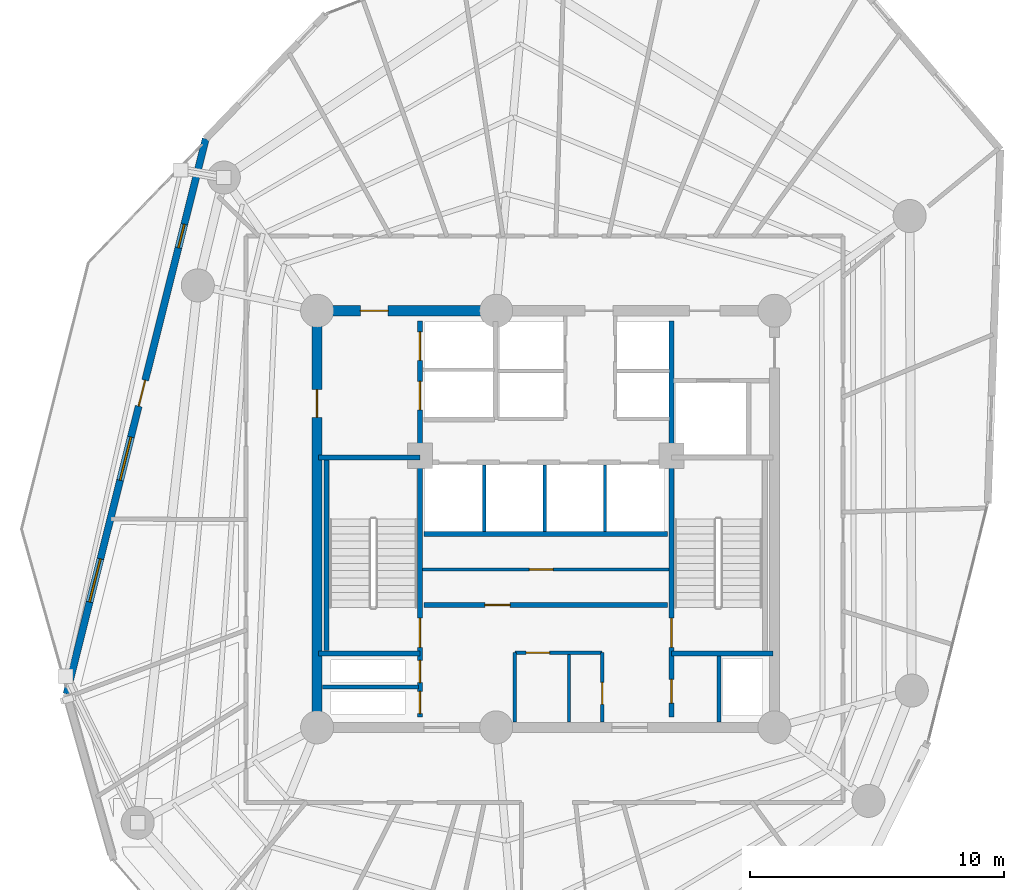
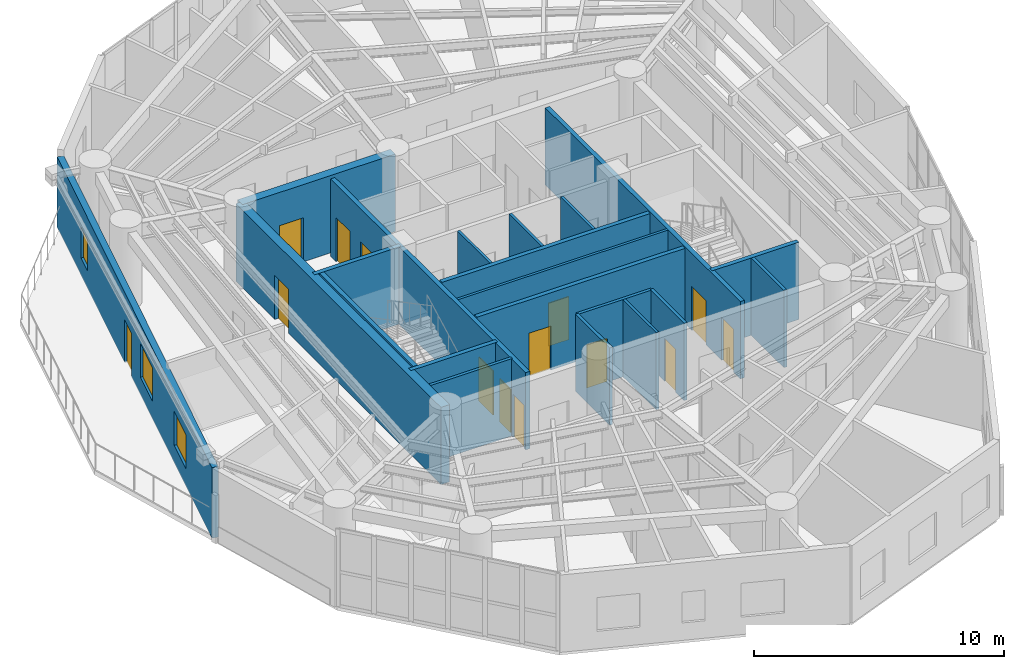
# One storey, part 8 of 14: 21 walls, 14 doors, 3 windows, 17 openings.
"""IFC4 building model written with IfcOpenShell, lengths in metres."""

from ifc_helpers import new_model, si_unit, direction, frame, frame_2d, origin, origin_with_axes, place, context, subcontext, project, spatial, rectangle, extrude, source, transform, mapped, material, layer, layer_set, type_object, element, fill, save


model = new_model("IFC4")

# Units and contexts
model_context = context("Model", 3, precision=1e-05, world=origin(), true_north=direction((0.0, 1.0)))
body_context = subcontext(model_context, "Body", "Model", "MODEL_VIEW")
ifc_project = project(units=[si_unit("LENGTHUNIT", "METRE"), si_unit("AREAUNIT", "SQUARE_METRE"), si_unit("VOLUMEUNIT", "CUBIC_METRE"), si_unit("PLANEANGLEUNIT", "RADIAN"), si_unit("MASSUNIT", "GRAM", prefix="KILO")], contexts=[model_context])

# Site, building, storey
site_placement = place(None, origin())
site = spatial("IfcSite", under=ifc_project, at=site_placement, CompositionType="ELEMENT")
building_placement = place(site_placement, origin())
building = spatial("IfcBuilding", under=site, at=building_placement, Name="Karkom Vertical University and Central Library", CompositionType="ELEMENT")
storey_placement = place(building_placement, frame((0.0, 0.0, 152.550048828125)))
storey = spatial("IfcBuildingStorey", under=building, at=storey_placement, Name="L43", CompositionType="ELEMENT", Elevation=152.550048828125)

# Wall, openings, door, windows
ifc_material_1 = material(Name="Brick-faced precast concrete C45/55", Category="masonry")
ifc_layer_1 = layer(ifc_material_1, 0.280029296875)
ifc_layer_set_1 = layer_set([ifc_layer_1], Name="Brick-faced precast concrete C45/55")
wall_type_1 = type_object("IfcWallType", Name="ENV-WL-BRK-280", PredefinedType="SOLIDWALL", material=ifc_layer_set_1)
wall_1_placement = place(storey_placement, frame((15.117431640625, 41.469970703125, 0.0), z_axis=(0.0, 0.0, 1.0), x_axis=(-0.243272448764, -0.96995799686, 0.0)))
wall_1 = element("IfcWall", 1, at=wall_1_placement, inside=storey, type_object=wall_type_1, Name="Level 43 Brick-Faced Precast Facade Wall 12", PredefinedType="SOLIDWALL", context=body_context, shape_type="SweptSolid", body=[
    extrude(rectangle(XDim=22.529052734375, YDim=0.280029296875, at=frame_2d((11.2646484375, 0.0))), origin(), (0.0, 0.0, 1.0), 3.445068359375),
])
opening_1_placement = place(wall_1_placement, frame((3.473388671875, 0.0, 0.85009765625)))
opening_1 = element("IfcOpeningElement", 2, at=opening_1_placement, cuts=wall_1, Name="Opening WN-12", PredefinedType="OPENING", context=body_context, shape_type="SweptSolid", body=[
    extrude(rectangle(XDim=0.949951171875, YDim=1.5, at=frame_2d((0.47509765625, 0.75))), frame((0.0, 0.14990234375, 0.0), z_axis=(0.0, -1.0, 0.0), x_axis=(1.0, 0.0, 0.0)), (0.0, 0.0, 1.0), 0.300048828125),
])
opening_2_placement = place(wall_1_placement, frame((12.107666015625, 0.0, 0.85009765625)))
opening_2 = element("IfcOpeningElement", 3, at=opening_2_placement, cuts=wall_1, Name="Opening WN-08", PredefinedType="OPENING", context=body_context, shape_type="SweptSolid", body=[
    extrude(rectangle(XDim=1.75, YDim=1.64990234375, at=frame_2d((0.875, 0.824951171875))), frame((0.0, 0.14990234375, 0.0), z_axis=(0.0, -1.0, 0.0), x_axis=(1.0, 0.0, 0.0)), (0.0, 0.0, 1.0), 0.300048828125),
])
opening_3_placement = place(wall_1_placement, frame((17.048583984375, 0.0, 0.85009765625)))
opening_3 = element("IfcOpeningElement", 4, at=opening_3_placement, cuts=wall_1, Name="Opening WN-08", PredefinedType="OPENING", context=body_context, shape_type="SweptSolid", body=[
    extrude(rectangle(XDim=1.75, YDim=1.64990234375, at=frame_2d((0.875, 0.824951171875))), frame((0.0, 0.14990234375, 0.0), z_axis=(0.0, -1.0, 0.0), x_axis=(1.0, 0.0, 0.0)), (0.0, 0.0, 1.0), 0.300048828125),
])
opening_4_placement = place(wall_1_placement, frame((9.80078125, 0.0, 0.0)))
opening_4 = element("IfcOpeningElement", 5, at=opening_4_placement, cuts=wall_1, Name="Opening TD-1", PredefinedType="OPENING", context=body_context, shape_type="SweptSolid", body=[
    extrude(rectangle(XDim=1.050048828125, YDim=2.1201171875, at=frame_2d((0.52490234375, 1.06005859375))), frame((0.0, 0.14990234375, 0.0), z_axis=(0.0, -1.0, 0.0), x_axis=(1.0, 0.0, 0.0)), (0.0, 0.0, 1.0), 0.300048828125),
])
ifc_material_2 = material(Name="Thermally broken glazed aluminium terrace door", Category="aluminium")
door_type_1 = type_object("IfcDoorType", Name="ENV-DR-TERR", OperationType="NOTDEFINED", PredefinedType="DOOR", material=ifc_material_2)
shared_shape_1 = source(origin_with_axes(), body_context, "Body", "SweptSolid", [
    extrude(rectangle(XDim=1.050048828125, YDim=2.1201171875, at=frame_2d((0.52490234375, 1.06005859375))), frame((0.0, 0.02490234375, 0.0), z_axis=(0.0, -1.0, 0.0), x_axis=(1.0, 0.0, 0.0)), (0.0, 0.0, 1.0), 0.050048828125),
])
door_1_placement = place(opening_4_placement, origin())
door_1 = element("IfcDoor", 6, at=door_1_placement, inside=storey, type_object=door_type_1, Name="Level 43 Outdoor Terrace Access Door", OperationType="SINGLE_SWING_RIGHT", OverallHeight=2.1201171875, OverallWidth=1.050048828125, PredefinedType="DOOR", context=body_context, shape_type="MappedRepresentation", body=[
    mapped(shared_shape_1, transform((0.0, 0.0, 0.0), scale=1.0)),
])
fill(opening_4, door_1)
ifc_material_3 = material(Name="Aluminium thermal-break frame with solar-control IGU", Category="aluminium")
window_type_1 = type_object("IfcWindowType", Name="ENV-WIN-WN-12", PartitioningType="SINGLE_PANEL", PredefinedType="WINDOW", material=ifc_material_3)
shared_shape_2 = source(origin_with_axes(), body_context, "Body", "SweptSolid", [
    extrude(rectangle(XDim=0.949951171875, YDim=1.5, at=frame_2d((0.47509765625, 0.75))), frame((0.0, 0.030029296875, 0.0), z_axis=(0.0, -1.0, 0.0), x_axis=(1.0, 0.0, 0.0)), (0.0, 0.0, 1.0), 0.06005859375),
])
window_1_placement = place(opening_1_placement, origin())
window_1 = element("IfcWindow", 7, at=window_1_placement, inside=storey, type_object=window_type_1, Name="Level 43 Punched Window 12.1", OverallHeight=1.5, OverallWidth=0.949951171875, PartitioningType="SINGLE_PANEL", PredefinedType="WINDOW", context=body_context, shape_type="MappedRepresentation", body=[
    mapped(shared_shape_2, transform((0.0, 0.0, 0.0), scale=1.0)),
])
fill(opening_1, window_1)
window_type_2 = type_object("IfcWindowType", Name="ENV-WIN-WN-08", PartitioningType="SINGLE_PANEL", PredefinedType="WINDOW", material=ifc_material_3)
shared_shape_3 = source(origin_with_axes(), body_context, "Body", "SweptSolid", [
    extrude(rectangle(XDim=1.75, YDim=1.64990234375, at=frame_2d((0.875, 0.824951171875))), frame((0.0, 0.030029296875, 0.0), z_axis=(0.0, -1.0, 0.0), x_axis=(1.0, 0.0, 0.0)), (0.0, 0.0, 1.0), 0.06005859375),
])
window_2_placement = place(opening_2_placement, origin())
window_2 = element("IfcWindow", 8, at=window_2_placement, inside=storey, type_object=window_type_2, Name="Level 43 Punched Window 12.3", OverallHeight=1.64990234375, OverallWidth=1.75, PartitioningType="SINGLE_PANEL", PredefinedType="WINDOW", context=body_context, shape_type="MappedRepresentation", body=[
    mapped(shared_shape_3, transform((0.0, 0.0, 0.0), scale=1.0)),
])
fill(opening_2, window_2)
window_3_placement = place(opening_3_placement, origin())
window_3 = element("IfcWindow", 9, at=window_3_placement, inside=storey, type_object=window_type_2, Name="Level 43 Punched Window 12.4", OverallHeight=1.64990234375, OverallWidth=1.75, PartitioningType="SINGLE_PANEL", PredefinedType="WINDOW", context=body_context, shape_type="MappedRepresentation", body=[
    mapped(shared_shape_3, transform((0.0, 0.0, 0.0), scale=1.0)),
])
fill(opening_3, window_3)

# Wall
ifc_material_4 = material(Name="Moisture-resistant drywall 120mm", Category="gypsum")
ifc_layer_2 = layer(ifc_material_4, 0.1201171875)
ifc_layer_set_2 = layer_set([ifc_layer_2], Name="Moisture-resistant drywall 120mm")
wall_type_2 = type_object("IfcWallType", Name="INT-WL-INT-120", PredefinedType="PARTITIONING", material=ifc_layer_set_2)
wall_2_placement = place(storey_placement, frame((29.419921875, 18.507080078125, 0.0), z_axis=(0.0, 0.0, 1.0), x_axis=(0.0, 1.0, 0.0)))
element("IfcWall", 10, at=wall_2_placement, inside=storey, type_object=wall_type_2, Name="Level 43 Interior Partition Wall L43-CW-K3-DIV", PredefinedType="PARTITIONING", context=body_context, shape_type="SweptSolid", body=[
    extrude(rectangle(XDim=2.66162109375, YDim=0.1201171875, at=frame_2d((1.330810546875, 0.0))), origin(), (0.0, 0.0, 1.0), 3.77490234375),
])

# Wall, opening, door
ifc_layer_3 = layer(ifc_material_4, 0.1201171875)
ifc_layer_set_3 = layer_set([ifc_layer_3], Name="Moisture-resistant drywall 120mm")
wall_type_3 = type_object("IfcWallType", Name="INT-WL-INT-120F", PredefinedType="PARTITIONING", material=ifc_layer_set_3)
wall_3_placement = place(storey_placement, frame((23.652099609375, 24.52001953125, 0.0), z_axis=(0.0, 0.0, 1.0), x_axis=(1.0, 0.0, 0.0)))
wall_3 = element("IfcWall", 11, at=wall_3_placement, inside=storey, type_object=wall_type_3, Name="Level 43 Interior Partition Wall L43-CW-B1-K3H", PredefinedType="PARTITIONING", context=body_context, shape_type="SweptSolid", body=[
    extrude(rectangle(XDim=9.697509765625, YDim=0.1201171875, at=frame_2d((4.8486328125, 0.0))), origin(), (0.0, 0.0, 1.0), 3.77490234375),
])
opening_5_placement = place(wall_3_placement, frame((4.199951171875, 0.0, 0.0)))
opening_5 = element("IfcOpeningElement", 12, at=opening_5_placement, cuts=wall_3, Name="Opening D-WC1", PredefinedType="OPENING", context=body_context, shape_type="SweptSolid", body=[
    extrude(rectangle(XDim=0.93994140625, YDim=2.10009765625, at=frame_2d((0.469970703125, 1.050048828125))), frame((0.0, 0.070068359375, 0.0), z_axis=(0.0, -1.0, 0.0), x_axis=(1.0, 0.0, 0.0)), (0.0, 0.0, 1.0), 0.14013671875),
])
ifc_material_5 = material(Name="Fire-rated laminate moisture-resistant door", Category="wood")
door_type_2 = type_object("IfcDoorType", Name="INT-DR-WC1", OperationType="NOTDEFINED", PredefinedType="DOOR", material=ifc_material_5)
shared_shape_4 = source(origin_with_axes(), body_context, "Body", "SweptSolid", [
    extrude(rectangle(XDim=0.93994140625, YDim=2.10009765625, at=frame_2d((0.469970703125, 1.050048828125))), frame((0.0, 0.02490234375, 0.0), z_axis=(0.0, -1.0, 0.0), x_axis=(1.0, 0.0, 0.0)), (0.0, 0.0, 1.0), 0.050048828125),
])
door_2_placement = place(opening_5_placement, origin())
door_2 = element("IfcDoor", 13, at=door_2_placement, inside=storey, type_object=door_type_2, Name="Level 43 B1 Core WC Strip Door", OperationType="SINGLE_SWING_RIGHT", OverallHeight=2.10009765625, OverallWidth=0.93994140625, PredefinedType="DOOR", context=body_context, shape_type="MappedRepresentation", body=[
    mapped(shared_shape_4, transform((0.0, 0.0, 0.0), scale=1.0)),
])
fill(opening_5, door_2)

# Walls
ifc_layer_4 = layer(ifc_material_4, 0.1201171875)
ifc_layer_set_4 = layer_set([ifc_layer_4], Name="Moisture-resistant drywall 120mm")
wall_type_4 = type_object("IfcWallType", Name="INT-WL-INT-120H", PredefinedType="PARTITIONING", material=ifc_layer_set_4)
for number, where, z_axis, x_axis, name in (
    (14, (26.080078125, 26.02001953125, 0.0), (0.0, 0.0, 1.0), (0.0, 1.0, 0.0), "Level 43 Interior Partition Wall L43-CW-PM-DIV1"),
    (15, (28.4599609375, 26.02001953125, 0.0), (0.0, 0.0, 1.0), (0.0, 1.0, 0.0), "Level 43 Interior Partition Wall L43-CW-PM-DIV2"),
    (16, (30.840087890625, 26.02001953125, 0.0), (0.0, 0.0, 1.0), (0.0, 1.0, 0.0), "Level 43 Interior Partition Wall L43-CW-PM-DIV3"),
):
    element("IfcWall", number, at=place(storey_placement, frame(where, z_axis=z_axis, x_axis=x_axis)), inside=storey, type_object=wall_type_4, Name=name, PredefinedType="PARTITIONING", context=body_context, shape_type="SweptSolid", body=[
        extrude(rectangle(XDim=2.60009765625, YDim=0.1201171875, at=frame_2d((1.300048828125, 0.0))), origin(), (0.0, 0.0, 1.0), 3.77490234375),
    ])

# Wall, opening, door
ifc_material_6 = material(Name="Metal-stud gypsum partition 140mm", Category="gypsum")
ifc_layer_5 = layer(ifc_material_6, 0.139892578125)
ifc_layer_set_5 = layer_set([ifc_layer_5], Name="Metal-stud gypsum partition 140mm")
wall_type_5 = type_object("IfcWallType", Name="INT-WL-SUB-140", PredefinedType="PARTITIONING", material=ifc_layer_set_5)
wall_4_placement = place(storey_placement, frame((27.280029296875, 21.239990234375, 0.0), z_axis=(0.0, 0.0, 1.0), x_axis=(1.0, 0.0, 0.0)))
wall_4 = element("IfcWall", 17, at=wall_4_placement, inside=storey, type_object=wall_type_5, Name="Level 43 Interior Partition Wall L43-CW-KBAY-N", PredefinedType="PARTITIONING", context=body_context, shape_type="SweptSolid", body=[
    extrude(rectangle(XDim=3.43994140625, YDim=0.139892578125, at=frame_2d((1.719970703125, 0.0))), origin(), (0.0, 0.0, 1.0), 3.77490234375),
])
opening_6_placement = place(wall_4_placement, frame((0.449951171875, 0.0, 0.0)))
opening_6 = element("IfcOpeningElement", 18, at=opening_6_placement, cuts=wall_4, Name="Opening D-SVC1", PredefinedType="OPENING", context=body_context, shape_type="SweptSolid", body=[
    extrude(rectangle(XDim=0.919921875, YDim=2.10009765625, at=frame_2d((0.4599609375, 1.050048828125))), frame((0.0, 0.080078125, 0.0), z_axis=(0.0, -1.0, 0.0), x_axis=(1.0, 0.0, 0.0)), (0.0, 0.0, 1.0), 0.159912109375),
])
ifc_material_7 = material(Name="Painted timber service door", Category="wood")
door_type_3 = type_object("IfcDoorType", Name="INT-DR-SVC1", OperationType="NOTDEFINED", PredefinedType="DOOR", material=ifc_material_7)
shared_shape_5 = source(origin_with_axes(), body_context, "Body", "SweptSolid", [
    extrude(rectangle(XDim=0.919921875, YDim=2.10009765625, at=frame_2d((0.4599609375, 1.050048828125))), frame((0.0, 0.02490234375, 0.0), z_axis=(0.0, -1.0, 0.0), x_axis=(1.0, 0.0, 0.0)), (0.0, 0.0, 1.0), 0.050048828125),
])
door_3_placement = place(opening_6_placement, origin())
door_3 = element("IfcDoor", 19, at=door_3_placement, inside=storey, type_object=door_type_3, Name="Level 43 Copy Room Door", OperationType="SINGLE_SWING_LEFT", OverallHeight=2.10009765625, OverallWidth=0.919921875, PredefinedType="DOOR", context=body_context, shape_type="MappedRepresentation", body=[
    mapped(shared_shape_5, transform((0.0, 0.0, 0.0), scale=1.0)),
])
fill(opening_6, door_3)

# Wall
wall_5_placement = place(storey_placement, frame((27.280029296875, 18.507080078125, 0.0), z_axis=(0.0, 0.0, 1.0), x_axis=(0.0, 1.0, 0.0)))
element("IfcWall", 20, at=wall_5_placement, inside=storey, type_object=wall_type_5, Name="Level 43 Interior Partition Wall L43-CW-KBAY-W", PredefinedType="PARTITIONING", context=body_context, shape_type="SweptSolid", body=[
    extrude(rectangle(XDim=2.73291015625, YDim=0.139892578125, at=frame_2d((1.366455078125, 0.0))), origin(), (0.0, 0.0, 1.0), 3.77490234375),
])

# Wall, opening, door
wall_6_placement = place(storey_placement, frame((30.719970703125, 18.507080078125, 0.0), z_axis=(0.0, 0.0, 1.0), x_axis=(0.0, 1.0, 0.0)))
wall_6 = element("IfcWall", 21, at=wall_6_placement, inside=storey, type_object=wall_type_5, Name="Level 43 Interior Partition Wall L43-CW-KBAY-E", PredefinedType="PARTITIONING", context=body_context, shape_type="SweptSolid", body=[
    extrude(rectangle(XDim=2.73291015625, YDim=0.139892578125, at=frame_2d((1.366455078125, 0.0))), origin(), (0.0, 0.0, 1.0), 3.77490234375),
])
opening_7_placement = place(wall_6_placement, frame((0.699951171875, 0.0, 0.0)))
opening_7 = element("IfcOpeningElement", 22, at=opening_7_placement, cuts=wall_6, Name="Opening D-BATH", PredefinedType="OPENING", context=body_context, shape_type="SweptSolid", body=[
    extrude(rectangle(XDim=0.860107421875, YDim=2.10009765625, at=frame_2d((0.43017578125, 1.050048828125))), frame((0.0, 0.080078125, 0.0), z_axis=(0.0, -1.0, 0.0), x_axis=(1.0, 0.0, 0.0)), (0.0, 0.0, 1.0), 0.159912109375),
])
ifc_material_8 = material(Name="Moisture-resistant oak door", Category="wood")
door_type_4 = type_object("IfcDoorType", Name="INT-DR-BATH", OperationType="NOTDEFINED", PredefinedType="DOOR", material=ifc_material_8)
shared_shape_6 = source(origin_with_axes(), body_context, "Body", "SweptSolid", [
    extrude(rectangle(XDim=0.860107421875, YDim=2.10009765625, at=frame_2d((0.43017578125, 1.050048828125))), frame((0.0, 0.02490234375, 0.0), z_axis=(0.0, -1.0, 0.0), x_axis=(1.0, 0.0, 0.0)), (0.0, 0.0, 1.0), 0.050048828125),
])
door_4_placement = place(opening_7_placement, origin())
door_4 = element("IfcDoor", 23, at=door_4_placement, inside=storey, type_object=door_type_4, Name="Level 43 Janitor Door", OperationType="SINGLE_SWING_RIGHT", OverallHeight=2.10009765625, OverallWidth=0.860107421875, PredefinedType="DOOR", context=body_context, shape_type="MappedRepresentation", body=[
    mapped(shared_shape_6, transform((0.0, 0.0, 0.0), scale=1.0)),
])
fill(opening_7, door_4)

# Walls
ifc_layer_6 = layer(ifc_material_6, 0.139892578125)
ifc_layer_set_6 = layer_set([ifc_layer_6], Name="Metal-stud gypsum partition 140mm")
wall_type_6 = type_object("IfcWallType", Name="INT-WL-SUB-140H", PredefinedType="PARTITIONING", material=ifc_layer_set_6)
wall_7_placement = place(storey_placement, frame((19.70703125, 19.889892578125, 0.0), z_axis=(0.0, 0.0, 1.0), x_axis=(1.0, 0.0, 0.0)))
element("IfcWall", 24, at=wall_7_placement, inside=storey, type_object=wall_type_6, Name="Level 43 Interior Partition Wall L43-CW-RIS-W", PredefinedType="PARTITIONING", context=body_context, shape_type="SweptSolid", body=[
    extrude(rectangle(XDim=3.789794921875, YDim=0.139892578125, at=frame_2d((1.89501953125, 0.0))), origin(), (0.0, 0.0, 1.0), 3.77490234375),
])
wall_8_placement = place(storey_placement, frame((35.320068359375, 18.507080078125, 0.0), z_axis=(0.0, 0.0, 1.0), x_axis=(0.0, 1.0, 0.0)))
element("IfcWall", 25, at=wall_8_placement, inside=storey, type_object=wall_type_6, Name="Level 43 Interior Partition Wall L43-CW-RIS-E", PredefinedType="PARTITIONING", context=body_context, shape_type="SweptSolid", body=[
    extrude(rectangle(XDim=2.603759765625, YDim=0.139892578125, at=frame_2d((1.3017578125, 0.0))), origin(), (0.0, 0.0, 1.0), 3.77490234375),
])

# Wall, opening, door
ifc_material_9 = material(Name="Concrete C50/60", Category="concrete")
ifc_layer_7 = layer(ifc_material_9, 0.39990234375)
ifc_layer_set_7 = layer_set([ifc_layer_7], Name="Concrete C50/60")
wall_type_7 = type_object("IfcWallType", Name="STR-WL-CW-400", PredefinedType="SHEAR", material=ifc_layer_set_7)
wall_9_placement = place(storey_placement, frame((26.550048828125, 34.699951171875, 0.0), z_axis=(0.0, 0.0, 1.0), x_axis=(-1.0, 0.0, 0.0)))
wall_9 = element("IfcWall", 26, at=wall_9_placement, inside=storey, type_object=wall_type_7, Name="Level 43 Central Core Shear Wall NW2", PredefinedType="SHEAR", context=body_context, shape_type="SweptSolid", body=[
    extrude(rectangle(XDim=7.050048828125, YDim=0.39990234375, at=frame_2d((3.52490234375, 0.0))), origin(), (0.0, 0.0, 1.0), 3.77490234375),
])
opening_8_placement = place(wall_9_placement, frame((4.25, 0.0, 0.0)))
opening_8 = element("IfcOpeningElement", 27, at=opening_8_placement, cuts=wall_9, Name="Opening FD-FFL", PredefinedType="OPENING", context=body_context, shape_type="SweptSolid", body=[
    extrude(rectangle(XDim=1.10009765625, YDim=2.14990234375, at=frame_2d((0.550048828125, 1.074951171875))), frame((0.0, 0.2099609375, 0.0), z_axis=(0.0, -1.0, 0.0), x_axis=(1.0, 0.0, 0.0)), (0.0, 0.0, 1.0), 0.419921875),
])
ifc_material_10 = material(Name="Painted steel smoke-seal fire door", Category="steel")
door_type_5 = type_object("IfcDoorType", Name="INT-DR-FFL", OperationType="NOTDEFINED", PredefinedType="DOOR", material=ifc_material_10)
shared_shape_7 = source(origin_with_axes(), body_context, "Body", "SweptSolid", [
    extrude(rectangle(XDim=1.10009765625, YDim=2.14990234375, at=frame_2d((0.550048828125, 1.074951171875))), frame((0.0, 0.02490234375, 0.0), z_axis=(0.0, -1.0, 0.0), x_axis=(1.0, 0.0, 0.0)), (0.0, 0.0, 1.0), 0.050048828125),
])
door_5_placement = place(opening_8_placement, origin())
door_5 = element("IfcDoor", 28, at=door_5_placement, inside=storey, type_object=door_type_5, Name="Level 43 Firefighting Lobby Door", OperationType="SINGLE_SWING_RIGHT", OverallHeight=2.14990234375, OverallWidth=1.10009765625, PredefinedType="DOOR", context=body_context, shape_type="MappedRepresentation", body=[
    mapped(shared_shape_7, transform((0.0, 0.0, 0.0), scale=1.0)),
])
fill(opening_8, door_5)

wall_10_placement = place(storey_placement, frame((19.5, 34.699951171875, 0.0), z_axis=(0.0, 0.0, 1.0), x_axis=(0.0, -1.0, 0.0)))
wall_10 = element("IfcWall", 29, at=wall_10_placement, inside=storey, type_object=wall_type_7, Name="Level 43 Central Core Shear Wall WW", PredefinedType="SHEAR", context=body_context, shape_type="SweptSolid", body=[
    extrude(rectangle(XDim=16.39990234375, YDim=0.39990234375, at=frame_2d((8.199951171875, 0.0))), origin(), (0.0, 0.0, 1.0), 3.77490234375),
])
opening_9_placement = place(wall_10_placement, frame((3.10009765625, 0.0, 0.0)))
opening_9 = element("IfcOpeningElement", 30, at=opening_9_placement, cuts=wall_10, Name="Opening FD-FFL", PredefinedType="OPENING", context=body_context, shape_type="SweptSolid", body=[
    extrude(rectangle(XDim=1.10009765625, YDim=2.14990234375, at=frame_2d((0.550048828125, 1.074951171875))), frame((0.0, 0.2099609375, 0.0), z_axis=(0.0, -1.0, 0.0), x_axis=(1.0, 0.0, 0.0)), (0.0, 0.0, 1.0), 0.419921875),
])
door_6_placement = place(opening_9_placement, origin())
door_6 = element("IfcDoor", 31, at=door_6_placement, inside=storey, type_object=door_type_5, Name="Level 43 West Corridor Firefighting Lobby Door", OperationType="SINGLE_SWING_LEFT", OverallHeight=2.14990234375, OverallWidth=1.10009765625, PredefinedType="DOOR", context=body_context, shape_type="MappedRepresentation", body=[
    mapped(shared_shape_7, transform((0.0, 0.0, 0.0), scale=1.0)),
])
fill(opening_9, door_6)

# Wall, openings, doors
ifc_material_11 = material(Name="Concrete C45/55", Category="concrete")
ifc_layer_8 = layer(ifc_material_11, 0.199951171875)
ifc_layer_set_8 = layer_set([ifc_layer_8], Name="Concrete C45/55")
wall_type_8 = type_object("IfcWallType", Name="STR-WL-ST-200", PredefinedType="SHEAR", material=ifc_layer_set_8)
wall_11_placement = place(storey_placement, frame((23.544921875, 18.699951171875, 0.0), z_axis=(0.0, 0.0, 1.0), x_axis=(0.0, 1.0, 0.0)))
wall_11 = element("IfcWall", 32, at=wall_11_placement, inside=storey, type_object=wall_type_8, Name="Level 43 Core Shaft Wall L43-CW-ST1-E", PredefinedType="SHEAR", context=body_context, shape_type="SweptSolid", body=[
    extrude(rectangle(XDim=15.60009765625, YDim=0.199951171875, at=frame_2d((7.800048828125, 0.0))), origin(), (0.0, 0.0, 1.0), 3.77490234375),
])
opening_10_placement = place(wall_11_placement, frame((2.75, 0.0, 0.0)))
opening_10 = element("IfcOpeningElement", 33, at=opening_10_placement, cuts=wall_11, Name="Opening FD-ST1", PredefinedType="OPENING", context=body_context, shape_type="SweptSolid", body=[
    extrude(rectangle(XDim=1.14990234375, YDim=2.14990234375, at=frame_2d((0.574951171875, 1.074951171875))), frame((0.0, 0.10986328125, 0.0), z_axis=(0.0, -1.0, 0.0), x_axis=(1.0, 0.0, 0.0)), (0.0, 0.0, 1.0), 0.219970703125),
])
opening_11_placement = place(wall_11_placement, frame((0.139892578125, 0.0, 0.0)))
opening_11 = element("IfcOpeningElement", 34, at=opening_11_placement, cuts=wall_11, Name="Opening FD-RIS", PredefinedType="OPENING", context=body_context, shape_type="SweptSolid", body=[
    extrude(rectangle(XDim=0.8798828125, YDim=2.10009765625, at=frame_2d((0.43994140625, 1.050048828125))), frame((0.0, 0.10986328125, 0.0), z_axis=(0.0, -1.0, 0.0), x_axis=(1.0, 0.0, 0.0)), (0.0, 0.0, 1.0), 0.219970703125),
])
opening_12_placement = place(wall_11_placement, frame((1.360107421875, 0.0, 0.0)))
opening_12 = element("IfcOpeningElement", 35, at=opening_12_placement, cuts=wall_11, Name="Opening FD-RIS", PredefinedType="OPENING", context=body_context, shape_type="SweptSolid", body=[
    extrude(rectangle(XDim=0.8798828125, YDim=2.10009765625, at=frame_2d((0.43994140625, 1.050048828125))), frame((0.0, 0.10986328125, 0.0), z_axis=(0.0, -1.0, 0.0), x_axis=(1.0, 0.0, 0.0)), (0.0, 0.0, 1.0), 0.219970703125),
])
opening_13_placement = place(wall_11_placement, frame((12.10009765625, 0.0, 0.0)))
opening_13 = element("IfcOpeningElement", 36, at=opening_13_placement, cuts=wall_11, Name="Opening LD-FFL", PredefinedType="OPENING", context=body_context, shape_type="SweptSolid", body=[
    extrude(rectangle(XDim=1.1201171875, YDim=2.14990234375, at=frame_2d((0.56005859375, 1.074951171875))), frame((0.0, 0.10986328125, 0.0), z_axis=(0.0, -1.0, 0.0), x_axis=(1.0, 0.0, 0.0)), (0.0, 0.0, 1.0), 0.219970703125),
])
opening_14_placement = place(wall_11_placement, frame((14.050048828125, 0.0, 0.0)))
opening_14 = element("IfcOpeningElement", 37, at=opening_14_placement, cuts=wall_11, Name="Opening LD-FFL", PredefinedType="OPENING", context=body_context, shape_type="SweptSolid", body=[
    extrude(rectangle(XDim=1.1201171875, YDim=2.14990234375, at=frame_2d((0.56005859375, 1.074951171875))), frame((0.0, 0.10986328125, 0.0), z_axis=(0.0, -1.0, 0.0), x_axis=(1.0, 0.0, 0.0)), (0.0, 0.0, 1.0), 0.219970703125),
])
ifc_material_12 = material(Name="Painted steel acoustic fire door", Category="steel")
door_type_6 = type_object("IfcDoorType", Name="INT-DR-ST1", OperationType="NOTDEFINED", PredefinedType="DOOR", material=ifc_material_12)
shared_shape_8 = source(origin_with_axes(), body_context, "Body", "SweptSolid", [
    extrude(rectangle(XDim=1.14990234375, YDim=2.14990234375, at=frame_2d((0.574951171875, 1.074951171875))), frame((0.0, 0.02490234375, 0.0), z_axis=(0.0, -1.0, 0.0), x_axis=(1.0, 0.0, 0.0)), (0.0, 0.0, 1.0), 0.050048828125),
])
door_7_placement = place(opening_10_placement, origin())
door_7 = element("IfcDoor", 38, at=door_7_placement, inside=storey, type_object=door_type_6, Name="Level 43 Stair ST-1 Fire Door", OperationType="SINGLE_SWING_RIGHT", OverallHeight=2.14990234375, OverallWidth=1.14990234375, PredefinedType="DOOR", context=body_context, shape_type="MappedRepresentation", body=[
    mapped(shared_shape_8, transform((0.0, 0.0, 0.0), scale=1.0)),
])
fill(opening_10, door_7)
ifc_material_13 = material(Name="Painted steel riser access door", Category="steel")
door_type_7 = type_object("IfcDoorType", Name="INT-DR-RIS", OperationType="NOTDEFINED", PredefinedType="DOOR", material=ifc_material_13)
shared_shape_9 = source(origin_with_axes(), body_context, "Body", "SweptSolid", [
    extrude(rectangle(XDim=0.8798828125, YDim=2.10009765625, at=frame_2d((0.43994140625, 1.050048828125))), frame((0.0, 0.02490234375, 0.0), z_axis=(0.0, -1.0, 0.0), x_axis=(1.0, 0.0, 0.0)), (0.0, 0.0, 1.0), 0.050048828125),
])
door_8_placement = place(opening_11_placement, origin())
door_8 = element("IfcDoor", 39, at=door_8_placement, inside=storey, type_object=door_type_7, Name="Level 43 Electrical Riser Access Door", OperationType="SINGLE_SWING_RIGHT", OverallHeight=2.10009765625, OverallWidth=0.8798828125, PredefinedType="DOOR", context=body_context, shape_type="MappedRepresentation", body=[
    mapped(shared_shape_9, transform((0.0, 0.0, 0.0), scale=1.0)),
])
fill(opening_11, door_8)
door_9_placement = place(opening_12_placement, origin())
door_9 = element("IfcDoor", 40, at=door_9_placement, inside=storey, type_object=door_type_7, Name="Level 43 Telecom Riser Access Door", OperationType="SINGLE_SWING_LEFT", OverallHeight=2.10009765625, OverallWidth=0.8798828125, PredefinedType="DOOR", context=body_context, shape_type="MappedRepresentation", body=[
    mapped(shared_shape_9, transform((0.0, 0.0, 0.0), scale=1.0)),
])
fill(opening_12, door_9)
ifc_material_14 = material(Name="Fire-rated stainless-steel landing door", Category="steel")
door_type_8 = type_object("IfcDoorType", Name="INT-DR-LD-FFL", OperationType="SLIDING_TO_LEFT", PredefinedType="DOOR", material=ifc_material_14)
shared_shape_10 = source(origin_with_axes(), body_context, "Body", "SweptSolid", [
    extrude(rectangle(XDim=1.1201171875, YDim=2.14990234375, at=frame_2d((0.56005859375, 1.074951171875))), frame((0.0, 0.02490234375, 0.0), z_axis=(0.0, -1.0, 0.0), x_axis=(1.0, 0.0, 0.0)), (0.0, 0.0, 1.0), 0.050048828125),
])
door_10_placement = place(opening_13_placement, origin())
door_10 = element("IfcDoor", 41, at=door_10_placement, inside=storey, type_object=door_type_8, Name="Level 43 Firefighting Lift FFL-1 Landing Door", OperationType="SLIDING_TO_LEFT", OverallHeight=2.14990234375, OverallWidth=1.1201171875, PredefinedType="DOOR", context=body_context, shape_type="MappedRepresentation", body=[
    mapped(shared_shape_10, transform((0.0, 0.0, 0.0), scale=1.0)),
])
fill(opening_13, door_10)
door_11_placement = place(opening_14_placement, origin())
door_11 = element("IfcDoor", 42, at=door_11_placement, inside=storey, type_object=door_type_8, Name="Level 43 Firefighting Lift FFL-2 Landing Door", OperationType="SLIDING_TO_RIGHT", OverallHeight=2.14990234375, OverallWidth=1.1201171875, PredefinedType="DOOR", context=body_context, shape_type="MappedRepresentation", body=[
    mapped(shared_shape_10, transform((0.0, 0.0, 0.0), scale=1.0)),
])
fill(opening_14, door_11)

wall_12_placement = place(storey_placement, frame((33.455078125, 18.699951171875, 0.0), z_axis=(0.0, 0.0, 1.0), x_axis=(0.0, 1.0, 0.0)))
wall_12 = element("IfcWall", 43, at=wall_12_placement, inside=storey, type_object=wall_type_8, Name="Level 43 Core Shaft Wall L43-CW-ST2-W", PredefinedType="SHEAR", context=body_context, shape_type="SweptSolid", body=[
    extrude(rectangle(XDim=15.60009765625, YDim=0.199951171875, at=frame_2d((7.800048828125, 0.0))), origin(), (0.0, 0.0, 1.0), 3.77490234375),
])
opening_15_placement = place(wall_12_placement, frame((2.75, 0.0, 0.0)))
opening_15 = element("IfcOpeningElement", 44, at=opening_15_placement, cuts=wall_12, Name="Opening FD-ST1", PredefinedType="OPENING", context=body_context, shape_type="SweptSolid", body=[
    extrude(rectangle(XDim=1.14990234375, YDim=2.14990234375, at=frame_2d((0.574951171875, 1.074951171875))), frame((0.0, 0.10986328125, 0.0), z_axis=(0.0, -1.0, 0.0), x_axis=(1.0, 0.0, 0.0)), (0.0, 0.0, 1.0), 0.219970703125),
])
opening_16_placement = place(wall_12_placement, frame((0.550048828125, 0.0, 0.0)))
opening_16 = element("IfcOpeningElement", 45, at=opening_16_placement, cuts=wall_12, Name="Opening D-WC1", PredefinedType="OPENING", context=body_context, shape_type="SweptSolid", body=[
    extrude(rectangle(XDim=0.93994140625, YDim=2.10009765625, at=frame_2d((0.469970703125, 1.050048828125))), frame((0.0, 0.10986328125, 0.0), z_axis=(0.0, -1.0, 0.0), x_axis=(1.0, 0.0, 0.0)), (0.0, 0.0, 1.0), 0.219970703125),
])
door_12_placement = place(opening_15_placement, origin())
door_12 = element("IfcDoor", 46, at=door_12_placement, inside=storey, type_object=door_type_6, Name="Level 43 Stair ST-2 Fire Door", OperationType="SINGLE_SWING_LEFT", OverallHeight=2.14990234375, OverallWidth=1.14990234375, PredefinedType="DOOR", context=body_context, shape_type="MappedRepresentation", body=[
    mapped(shared_shape_8, transform((0.0, 0.0, 0.0), scale=1.0)),
])
fill(opening_15, door_12)
door_13_placement = place(opening_16_placement, origin())
door_13 = element("IfcDoor", 47, at=door_13_placement, inside=storey, type_object=door_type_2, Name="Level 43 Accessible WC Door", OperationType="SINGLE_SWING_RIGHT", OverallHeight=2.10009765625, OverallWidth=0.93994140625, PredefinedType="DOOR", context=body_context, shape_type="MappedRepresentation", body=[
    mapped(shared_shape_4, transform((0.0, 0.0, 0.0), scale=1.0)),
])
fill(opening_16, door_13)

# Wall, opening, door
wall_13_placement = place(storey_placement, frame((23.699951171875, 23.1201171875, 0.0), z_axis=(0.0, 0.0, 1.0), x_axis=(1.0, 0.0, 0.0)))
wall_13 = element("IfcWall", 48, at=wall_13_placement, inside=storey, type_object=wall_type_8, Name="Level 43 Core Shaft Wall L43-CW-B1-S", PredefinedType="SHEAR", context=body_context, shape_type="SweptSolid", body=[
    extrude(rectangle(XDim=9.60009765625, YDim=0.199951171875, at=frame_2d((4.800048828125, 0.0))), origin(), (0.0, 0.0, 1.0), 3.77490234375),
])
opening_17_placement = place(wall_13_placement, frame((2.39990234375, 0.0, 0.0)))
opening_17 = element("IfcOpeningElement", 49, at=opening_17_placement, cuts=wall_13, Name="Opening D-STR1", PredefinedType="OPENING", context=body_context, shape_type="SweptSolid", body=[
    extrude(rectangle(XDim=1.0, YDim=2.14990234375, at=frame_2d((0.5, 1.074951171875))), frame((0.0, 0.10986328125, 0.0), z_axis=(0.0, -1.0, 0.0), x_axis=(1.0, 0.0, 0.0)), (0.0, 0.0, 1.0), 0.219970703125),
])
ifc_material_15 = material(Name="Solid-core hardwood fire door", Category="wood")
door_type_9 = type_object("IfcDoorType", Name="INT-DR-STR1", OperationType="NOTDEFINED", PredefinedType="DOOR", material=ifc_material_15)
shared_shape_11 = source(origin_with_axes(), body_context, "Body", "SweptSolid", [
    extrude(rectangle(XDim=1.0, YDim=2.14990234375, at=frame_2d((0.5, 1.074951171875))), frame((0.0, 0.02490234375, 0.0), z_axis=(0.0, -1.0, 0.0), x_axis=(1.0, 0.0, 0.0)), (0.0, 0.0, 1.0), 0.050048828125),
])
door_14_placement = place(opening_17_placement, origin())
door_14 = element("IfcDoor", 50, at=door_14_placement, inside=storey, type_object=door_type_9, Name="Level 43 B1 Archive Strip Door", OperationType="SINGLE_SWING_LEFT", OverallHeight=2.14990234375, OverallWidth=1.0, PredefinedType="DOOR", context=body_context, shape_type="MappedRepresentation", body=[
    mapped(shared_shape_11, transform((0.0, 0.0, 0.0), scale=1.0)),
])
fill(opening_17, door_14)

# Walls
wall_14_placement = place(storey_placement, frame((23.699951171875, 25.919921875, 0.0), z_axis=(0.0, 0.0, 1.0), x_axis=(1.0, 0.0, 0.0)))
element("IfcWall", 51, at=wall_14_placement, inside=storey, type_object=wall_type_8, Name="Level 43 Core Shaft Wall L43-CW-B1-N", PredefinedType="SHEAR", context=body_context, shape_type="SweptSolid", body=[
    extrude(rectangle(XDim=9.60009765625, YDim=0.199951171875, at=frame_2d((4.800048828125, 0.0))), origin(), (0.0, 0.0, 1.0), 3.77490234375),
])
wall_15_placement = place(storey_placement, frame((19.875, 21.320068359375, 0.0), z_axis=(0.0, 0.0, 1.0), x_axis=(0.0, 1.0, 0.0)))
element("IfcWall", 52, at=wall_15_placement, inside=storey, type_object=wall_type_8, Name="Level 43 Core Shaft Wall L43-CW-ST1-W", PredefinedType="SHEAR", context=body_context, shape_type="SweptSolid", body=[
    extrude(rectangle(XDim=7.5, YDim=0.199951171875, at=frame_2d((3.75, 0.0))), origin(), (0.0, 0.0, 1.0), 3.77490234375),
])
for number, where, z_axis, x_axis, name in (
    (53, (33.455078125, 21.215087890625, 0.0), (0.0, 0.0, 1.0), (1.0, 0.0, 0.0), "Level 43 Core Shaft Wall L43-CW-ST2-S"),
    (54, (19.550048828125, 21.215087890625, 0.0), (0.0, 0.0, 1.0), (1.0, 0.0, 0.0), "Level 43 Core Shaft Wall L43-CW-ST1-S"),
    (55, (19.550048828125, 28.925048828125, 0.0), (0.0, 0.0, 1.0), (1.0, 0.0, 0.0), "Level 43 Core Shaft Wall L43-CW-ST1-N"),
):
    element("IfcWall", number, at=place(storey_placement, frame(where, z_axis=z_axis, x_axis=x_axis)), inside=storey, type_object=wall_type_8, Name=name, PredefinedType="SHEAR", context=body_context, shape_type="SweptSolid", body=[
        extrude(rectangle(XDim=3.994873046875, YDim=0.199951171875, at=frame_2d((1.99755859375, 0.0))), origin(), (0.0, 0.0, 1.0), 3.77490234375),
    ])

save(model, "model.ifc")
